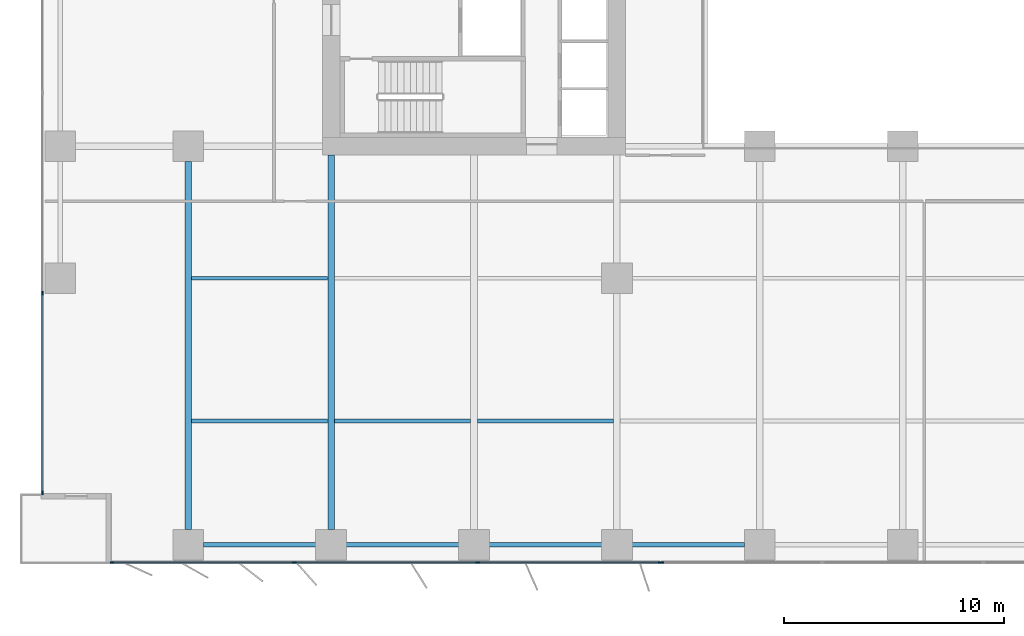
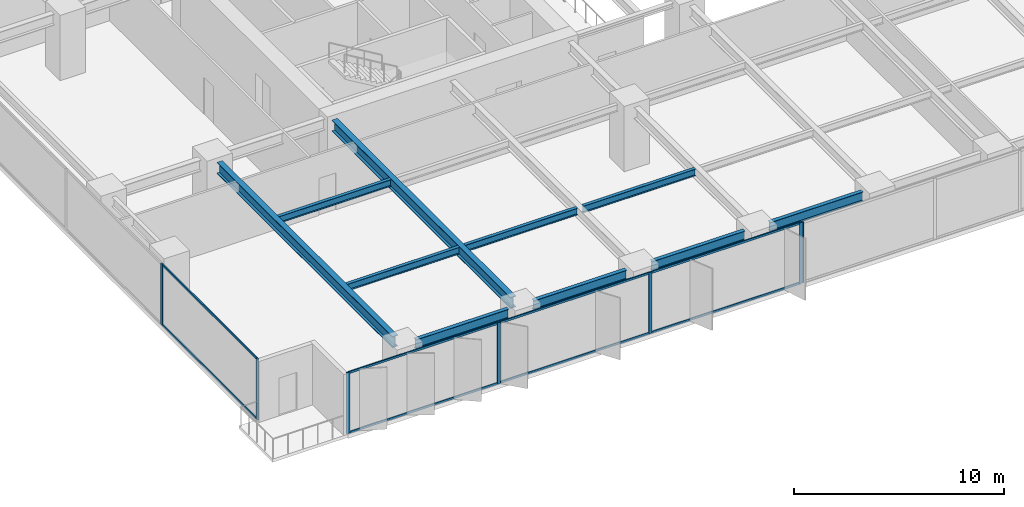
# One storey, part 2 of 20: 15 members, 10 beams, 3 elements without a shape of their own.
"""IFC4 building model written with IfcOpenShell, lengths in metres."""

from ifc_helpers import new_model, si_unit, direction, frame, origin, origin_2d, place, context, subcontext, project, spatial, rectangle, i_section, extrude, material, layer, layer_set, material_profile, profile_set, type_object, element, aggregate, save


model = new_model("IFC4")

# Units and contexts
model_context = context("Model", 3, precision=1e-05, world=origin(), true_north=direction((0.0, 1.0)))
body_context = subcontext(model_context, "Body", "Model", "MODEL_VIEW")
ifc_project = project(units=[si_unit("LENGTHUNIT", "METRE"), si_unit("AREAUNIT", "SQUARE_METRE"), si_unit("VOLUMEUNIT", "CUBIC_METRE"), si_unit("PLANEANGLEUNIT", "RADIAN"), si_unit("MASSUNIT", "GRAM", prefix="KILO")], contexts=[model_context])

# Site, building, storey
site_placement = place(None, origin())
site = spatial("IfcSite", under=ifc_project, at=site_placement, CompositionType="ELEMENT")
building_placement = place(site_placement, origin())
building = spatial("IfcBuilding", under=site, at=building_placement, Name="Putna Gate Headquarters", CompositionType="ELEMENT")
storey_placement = place(building_placement, frame((0.0, 0.0, 31.60009765625)))
storey = spatial("IfcBuildingStorey", under=building, at=storey_placement, Name="L06", CompositionType="ELEMENT", Elevation=31.60009765625)

# Beams
ifc_material_1 = material(Name="Steel S355J2", Category="steel")
ifc_material_profile_1 = material_profile(ifc_material_1, i_section(OverallWidth=0.300048828125, OverallDepth=0.64990234375, WebThickness=0.01611328125, FlangeThickness=0.031005859375, at=origin_2d()), Name="Steel S355J2")
ifc_profile_set_1 = profile_set([ifc_material_profile_1], Name="Steel S355J2")
beam_type_1 = type_object("IfcBeamType", Name="BM-GIRD-Z1-HEB650", PredefinedType="USERDEFINED", material=ifc_profile_set_1)
beam_1_placement = place(storey_placement, frame((6.5, 1.568115234375, 3.224853515625), z_axis=(0.0, 1.0, 0.0), x_axis=(-1.0, 0.0, 0.0)))
element("IfcBeam", 1, at=beam_1_placement, inside=storey, type_object=beam_type_1, Name="L06 South Primary Girder X6", ObjectType="GIRDER", PredefinedType="USERDEFINED", context=body_context, shape_type="SweptSolid", body=[
    extrude(i_section(OverallWidth=0.300048828125, OverallDepth=0.64990234375, WebThickness=0.01611328125, FlangeThickness=0.031005859375, at=origin_2d()), origin(), (0.0, 0.0, 1.0), 16.743896484375),
])
beam_2_placement = place(storey_placement, frame((13.0, 1.568115234375, 3.224853515625), z_axis=(0.0, 1.0, 0.0), x_axis=(-1.0, 0.0, 0.0)))
element("IfcBeam", 2, at=beam_2_placement, inside=storey, type_object=beam_type_1, Name="L06 South Primary Girder X13", ObjectType="GIRDER", PredefinedType="USERDEFINED", context=body_context, shape_type="SweptSolid", body=[
    extrude(i_section(OverallWidth=0.300048828125, OverallDepth=0.64990234375, WebThickness=0.01611328125, FlangeThickness=0.031005859375, at=origin_2d()), origin(), (0.0, 0.0, 1.0), 17.046875),
])
ifc_material_profile_2 = material_profile(ifc_material_1, i_section(OverallWidth=0.179931640625, OverallDepth=0.39990234375, WebThickness=0.008544921875, FlangeThickness=0.013427734375, at=origin_2d()), Name="Steel S355J2")
ifc_profile_set_2 = profile_set([ifc_material_profile_2], Name="Steel S355J2")
beam_type_2 = type_object("IfcBeamType", Name="BM-SEC-Z1-IPE400", PredefinedType="BEAM", material=ifc_profile_set_2)
for number, where, z_axis, x_axis, name in (
    (3, (6.654052734375, 6.5, 3.349853515625), (1.0, 0.0, 0.0), (0.0, 1.0, 0.0), "L06 South Secondary Beam 1"),
    (4, (6.654052734375, 13.0, 3.349853515625), (1.0, 0.0, 0.0), (0.0, 1.0, 0.0), "L06 South Secondary Beam 1"),
    (5, (13.154052734375, 6.5, 3.349853515625), (1.0, 0.0, 0.0), (0.0, 1.0, 0.0), "L06 South Secondary Beam 2"),
    (6, (19.654052734375, 6.5, 3.349853515625), (1.0, 0.0, 0.0), (0.0, 1.0, 0.0), "L06 South Secondary Beam 3"),
):
    element("IfcBeam", number, at=place(storey_placement, frame(where, z_axis=z_axis, x_axis=x_axis)), inside=storey, type_object=beam_type_2, Name=name, PredefinedType="BEAM", context=body_context, shape_type="SweptSolid", body=[
        extrude(i_section(OverallWidth=0.179931640625, OverallDepth=0.39990234375, WebThickness=0.008544921875, FlangeThickness=0.013427734375, at=origin_2d()), origin(), (0.0, 0.0, 1.0), 6.19189453125),
    ])
ifc_material_profile_3 = material_profile(ifc_material_1, i_section(OverallWidth=0.2099609375, OverallDepth=0.550048828125, WebThickness=0.010986328125, FlangeThickness=0.01708984375, at=origin_2d()), Name="Steel S355J2")
ifc_profile_set_3 = profile_set([ifc_material_profile_3], Name="Steel S355J2")
beam_type_3 = type_object("IfcBeamType", Name="BM-SPAN-Z1-IPE550", PredefinedType="SPANDREL", material=ifc_profile_set_3)
for number, where, z_axis, x_axis, name in (
    (7, (7.18798828125, 0.8798828125, 3.27490234375), (1.0, 0.0, 0.0), (0.0, 1.0, 0.0), "L06 S Perimeter Spandrel 1"),
    (8, (13.68798828125, 0.8798828125, 3.27490234375), (1.0, 0.0, 0.0), (0.0, 1.0, 0.0), "L06 S Perimeter Spandrel 2"),
    (9, (20.18798828125, 0.8798828125, 3.27490234375), (1.0, 0.0, 0.0), (0.0, 1.0, 0.0), "L06 S Perimeter Spandrel 3"),
    (10, (26.68798828125, 0.8798828125, 3.27490234375), (1.0, 0.0, 0.0), (0.0, 1.0, 0.0), "L06 S Perimeter Spandrel 4"),
):
    element("IfcBeam", number, at=place(storey_placement, frame(where, z_axis=z_axis, x_axis=x_axis)), inside=storey, type_object=beam_type_3, Name=name, PredefinedType="SPANDREL", context=body_context, shape_type="SweptSolid", body=[
        extrude(i_section(OverallWidth=0.2099609375, OverallDepth=0.550048828125, WebThickness=0.010986328125, FlangeThickness=0.01708984375, at=origin_2d()), origin(), (0.0, 0.0, 1.0), 5.1240234375),
    ])

# Curtain wall, members
ifc_material_2 = material(Name="Anodised bronze aluminium curtain wall", Category="aluminium")
ifc_layer_1 = layer(ifc_material_2, 0.179931640625)
ifc_layer_set_1 = layer_set([ifc_layer_1], Name="Anodised bronze aluminium curtain wall")
curtain_wall_type_1 = type_object("IfcCurtainWallType", Name="CW-SYS-Z1", PredefinedType="USERDEFINED", material=ifc_layer_set_1)
curtain_wall_1_placement = place(storey_placement, origin())
curtain_wall_1 = element("IfcCurtainWall", 11, at=curtain_wall_1_placement, inside=storey, type_object=curtain_wall_type_1, Name="L06 South West Curtain Wall", ObjectType="STICK CURTAIN WALL", PredefinedType="USERDEFINED")
ifc_material_3 = material(Name="Anodised bronze aluminium EN AW-6060", Category="aluminium")
ifc_material_profile_4 = material_profile(ifc_material_3, rectangle(XDim=0.070068359375, YDim=0.179931640625, at=origin_2d()), Name="Anodised bronze aluminium EN AW-6060")
ifc_profile_set_4 = profile_set([ifc_material_profile_4], Name="Anodised bronze aluminium EN AW-6060")
member_type_1 = type_object("IfcMemberType", Name="MULL-CWM-1", PredefinedType="MULLION", material=ifc_profile_set_4)
member_1_placement = place(storey_placement, frame((3.034912109375, 0.080078125, 0.0), z_axis=(0.0, 0.0, 1.0), x_axis=(0.0, 1.0, 0.0)))
member_1 = element("IfcMember", 12, at=member_1_placement, type_object=member_type_1, Name="CWS-1 mullion 1", PredefinedType="MULLION", context=body_context, shape_type="SweptSolid", body=[
    extrude(rectangle(XDim=0.070068359375, YDim=0.179931640625, at=origin_2d()), origin(), (0.0, 0.0, 1.0), 3.5498046875),
])
member_2_placement = place(storey_placement, frame((11.333251953125, 0.080078125, 0.0), z_axis=(0.0, 0.0, 1.0), x_axis=(0.0, 1.0, 0.0)))
member_2 = element("IfcMember", 13, at=member_2_placement, type_object=member_type_1, Name="CWS-1 mullion 2", PredefinedType="MULLION", context=body_context, shape_type="SweptSolid", body=[
    extrude(rectangle(XDim=0.070068359375, YDim=0.179931640625, at=origin_2d()), origin(), (0.0, 0.0, 1.0), 3.5498046875),
])
member_3_placement = place(storey_placement, frame((19.666748046875, 0.080078125, 0.0), z_axis=(0.0, 0.0, 1.0), x_axis=(0.0, 1.0, 0.0)))
member_3 = element("IfcMember", 14, at=member_3_placement, type_object=member_type_1, Name="CWS-1 mullion 3", PredefinedType="MULLION", context=body_context, shape_type="SweptSolid", body=[
    extrude(rectangle(XDim=0.070068359375, YDim=0.179931640625, at=origin_2d()), origin(), (0.0, 0.0, 1.0), 3.5498046875),
])
member_4_placement = place(storey_placement, frame((27.965087890625, 0.080078125, 0.0), z_axis=(0.0, 0.0, 1.0), x_axis=(0.0, 1.0, 0.0)))
member_4 = element("IfcMember", 15, at=member_4_placement, type_object=member_type_1, Name="CWS-1 mullion 4", PredefinedType="MULLION", context=body_context, shape_type="SweptSolid", body=[
    extrude(rectangle(XDim=0.070068359375, YDim=0.179931640625, at=origin_2d()), origin(), (0.0, 0.0, 1.0), 3.5498046875),
])

curtain_wall_2_placement = place(storey_placement, origin())
curtain_wall_2 = element("IfcCurtainWall", 16, at=curtain_wall_2_placement, inside=storey, type_object=curtain_wall_type_1, Name="L06 West Curtain Wall", ObjectType="STICK CURTAIN WALL", PredefinedType="USERDEFINED")
member_5_placement = place(storey_placement, frame((-0.1201171875, 3.235107421875, 0.0), z_axis=(0.0, 0.0, 1.0), x_axis=(-1.0, 0.0, 0.0)))
member_5 = element("IfcMember", 17, at=member_5_placement, type_object=member_type_1, Name="CWS-1 mullion 1", PredefinedType="MULLION", context=body_context, shape_type="SweptSolid", body=[
    extrude(rectangle(XDim=0.070068359375, YDim=0.179931640625, at=origin_2d()), origin(), (0.0, 0.0, 1.0), 3.5498046875),
])
member_6_placement = place(storey_placement, frame((-0.1201171875, 12.320068359375, 0.0), z_axis=(0.0, 0.0, 1.0), x_axis=(-1.0, 0.0, 0.0)))
member_6 = element("IfcMember", 18, at=member_6_placement, type_object=member_type_1, Name="CWS-1 mullion 2", PredefinedType="MULLION", context=body_context, shape_type="SweptSolid", body=[
    extrude(rectangle(XDim=0.070068359375, YDim=0.179931640625, at=origin_2d()), origin(), (0.0, 0.0, 1.0), 3.5498046875),
])

# Curtain wall, member
ifc_layer_2 = layer(ifc_material_2, 0.179931640625)
ifc_layer_set_2 = layer_set([ifc_layer_2], Name="Anodised bronze aluminium curtain wall")
curtain_wall_type_2 = type_object("IfcCurtainWallType", Name="CW-SYS-ATR", PredefinedType="USERDEFINED", material=ifc_layer_set_2)
curtain_wall_3_placement = place(storey_placement, origin())
curtain_wall_3 = element("IfcCurtainWall", 19, at=curtain_wall_3_placement, inside=storey, type_object=curtain_wall_type_2, Name="L06 South Atrium Clear Glazing", ObjectType="ATRIUM GLAZING", PredefinedType="USERDEFINED")
ifc_material_profile_5 = material_profile(ifc_material_3, rectangle(XDim=0.070068359375, YDim=0.179931640625, at=origin_2d()), Name="Anodised bronze aluminium EN AW-6060")
ifc_profile_set_5 = profile_set([ifc_material_profile_5], Name="Anodised bronze aluminium EN AW-6060")
member_type_2 = type_object("IfcMemberType", Name="MULL-CWM-AT", PredefinedType="MULLION", material=ifc_profile_set_5)
member_7_placement = place(storey_placement, frame((28.034912109375, 0.080078125, 0.0), z_axis=(0.0, 0.0, 1.0), x_axis=(0.0, 1.0, 0.0)))
member_7 = element("IfcMember", 20, at=member_7_placement, type_object=member_type_2, Name="CWS-AT mullion 1", PredefinedType="MULLION", context=body_context, shape_type="SweptSolid", body=[
    extrude(rectangle(XDim=0.070068359375, YDim=0.179931640625, at=origin_2d()), origin(), (0.0, 0.0, 1.0), 3.5498046875),
])
aggregate(curtain_wall_3, [member_7])

# Member
ifc_material_profile_6 = material_profile(ifc_material_3, rectangle(XDim=0.06494140625, YDim=0.1201171875, at=origin_2d()), Name="Anodised bronze aluminium EN AW-6060")
ifc_profile_set_6 = profile_set([ifc_material_profile_6], Name="Anodised bronze aluminium EN AW-6060")
member_type_3 = type_object("IfcMemberType", Name="TRAN-CWT-1", PredefinedType="USERDEFINED", material=ifc_profile_set_6)
member_8_placement = place(storey_placement, frame((3.070068359375, 0.080078125, 0.032470703125), z_axis=(1.0, 0.0, 0.0), x_axis=(0.0, 1.0, 0.0)))
member_8 = element("IfcMember", 21, at=member_8_placement, type_object=member_type_3, Name="CWS-1 transom 1.1", ObjectType="TRANSOM", PredefinedType="USERDEFINED", context=body_context, shape_type="SweptSolid", body=[
    extrude(rectangle(XDim=0.06494140625, YDim=0.1201171875, at=origin_2d()), origin(), (0.0, 0.0, 1.0), 8.228271484375),
])

member_9_placement = place(storey_placement, frame((3.070068359375, 0.080078125, 3.517333984375), z_axis=(1.0, 0.0, 0.0), x_axis=(0.0, 1.0, 0.0)))
member_9 = element("IfcMember", 22, at=member_9_placement, type_object=member_type_3, Name="CWS-1 transom 1.2", ObjectType="TRANSOM", PredefinedType="USERDEFINED", context=body_context, shape_type="SweptSolid", body=[
    extrude(rectangle(XDim=0.06494140625, YDim=0.1201171875, at=origin_2d()), origin(), (0.0, 0.0, 1.0), 8.228271484375),
])

member_10_placement = place(storey_placement, frame((11.368408203125, 0.080078125, 0.032470703125), z_axis=(1.0, 0.0, 0.0), x_axis=(0.0, 1.0, 0.0)))
member_10 = element("IfcMember", 23, at=member_10_placement, type_object=member_type_3, Name="CWS-1 transom 2.1", ObjectType="TRANSOM", PredefinedType="USERDEFINED", context=body_context, shape_type="SweptSolid", body=[
    extrude(rectangle(XDim=0.06494140625, YDim=0.1201171875, at=origin_2d()), origin(), (0.0, 0.0, 1.0), 8.26318359375),
])

member_11_placement = place(storey_placement, frame((11.368408203125, 0.080078125, 3.517333984375), z_axis=(1.0, 0.0, 0.0), x_axis=(0.0, 1.0, 0.0)))
member_11 = element("IfcMember", 24, at=member_11_placement, type_object=member_type_3, Name="CWS-1 transom 2.2", ObjectType="TRANSOM", PredefinedType="USERDEFINED", context=body_context, shape_type="SweptSolid", body=[
    extrude(rectangle(XDim=0.06494140625, YDim=0.1201171875, at=origin_2d()), origin(), (0.0, 0.0, 1.0), 8.26318359375),
])

member_12_placement = place(storey_placement, frame((19.70166015625, 0.080078125, 0.032470703125), z_axis=(1.0, 0.0, 0.0), x_axis=(0.0, 1.0, 0.0)))
member_12 = element("IfcMember", 25, at=member_12_placement, type_object=member_type_3, Name="CWS-1 transom 3.1", ObjectType="TRANSOM", PredefinedType="USERDEFINED", context=body_context, shape_type="SweptSolid", body=[
    extrude(rectangle(XDim=0.06494140625, YDim=0.1201171875, at=origin_2d()), origin(), (0.0, 0.0, 1.0), 8.228271484375),
])

member_13_placement = place(storey_placement, frame((19.70166015625, 0.080078125, 3.517333984375), z_axis=(1.0, 0.0, 0.0), x_axis=(0.0, 1.0, 0.0)))
member_13 = element("IfcMember", 26, at=member_13_placement, type_object=member_type_3, Name="CWS-1 transom 3.2", ObjectType="TRANSOM", PredefinedType="USERDEFINED", context=body_context, shape_type="SweptSolid", body=[
    extrude(rectangle(XDim=0.06494140625, YDim=0.1201171875, at=origin_2d()), origin(), (0.0, 0.0, 1.0), 8.228271484375),
])

aggregate(curtain_wall_1, [member_1, member_2, member_3, member_4, member_8, member_9, member_10, member_11, member_12, member_13])

member_14_placement = place(storey_placement, frame((-0.1201171875, 3.27001953125, 0.032470703125), z_axis=(0.0, 1.0, 0.0), x_axis=(-1.0, 0.0, 0.0)))
member_14 = element("IfcMember", 27, at=member_14_placement, type_object=member_type_3, Name="CWS-1 transom 1.1", ObjectType="TRANSOM", PredefinedType="USERDEFINED", context=body_context, shape_type="SweptSolid", body=[
    extrude(rectangle(XDim=0.06494140625, YDim=0.1201171875, at=origin_2d()), origin(), (0.0, 0.0, 1.0), 9.014892578125),
])

member_15_placement = place(storey_placement, frame((-0.1201171875, 3.27001953125, 3.517333984375), z_axis=(0.0, 1.0, 0.0), x_axis=(-1.0, 0.0, 0.0)))
member_15 = element("IfcMember", 28, at=member_15_placement, type_object=member_type_3, Name="CWS-1 transom 1.2", ObjectType="TRANSOM", PredefinedType="USERDEFINED", context=body_context, shape_type="SweptSolid", body=[
    extrude(rectangle(XDim=0.06494140625, YDim=0.1201171875, at=origin_2d()), origin(), (0.0, 0.0, 1.0), 9.014892578125),
])

aggregate(curtain_wall_2, [member_5, member_6, member_14, member_15])

save(model, "model.ifc")
